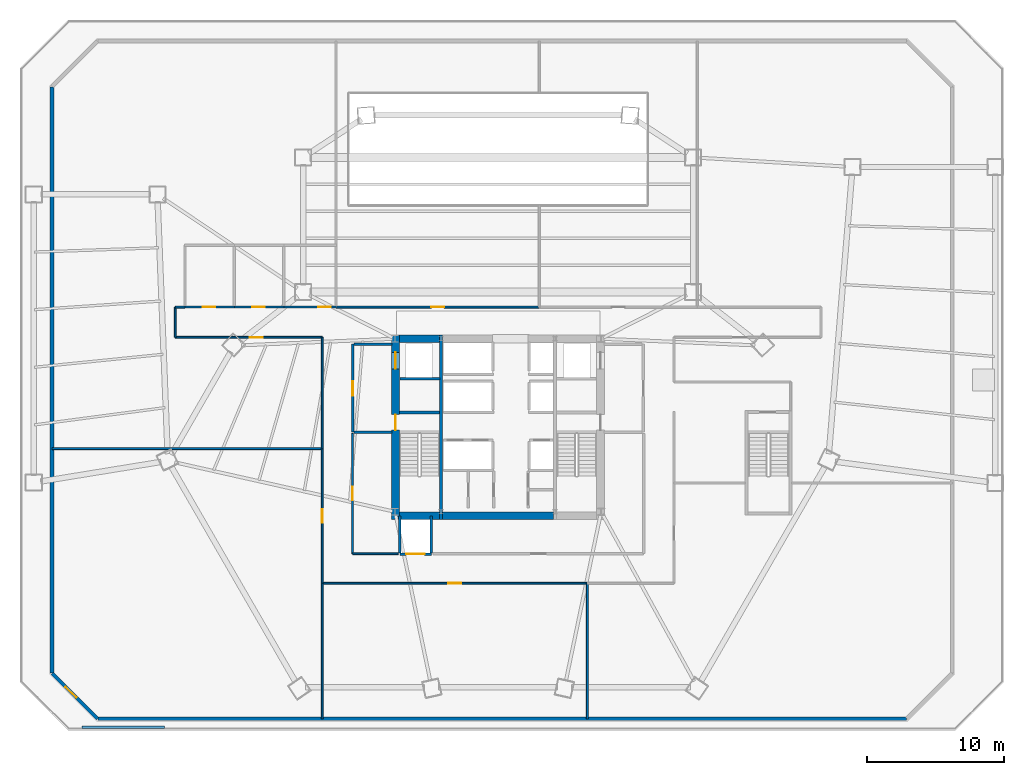
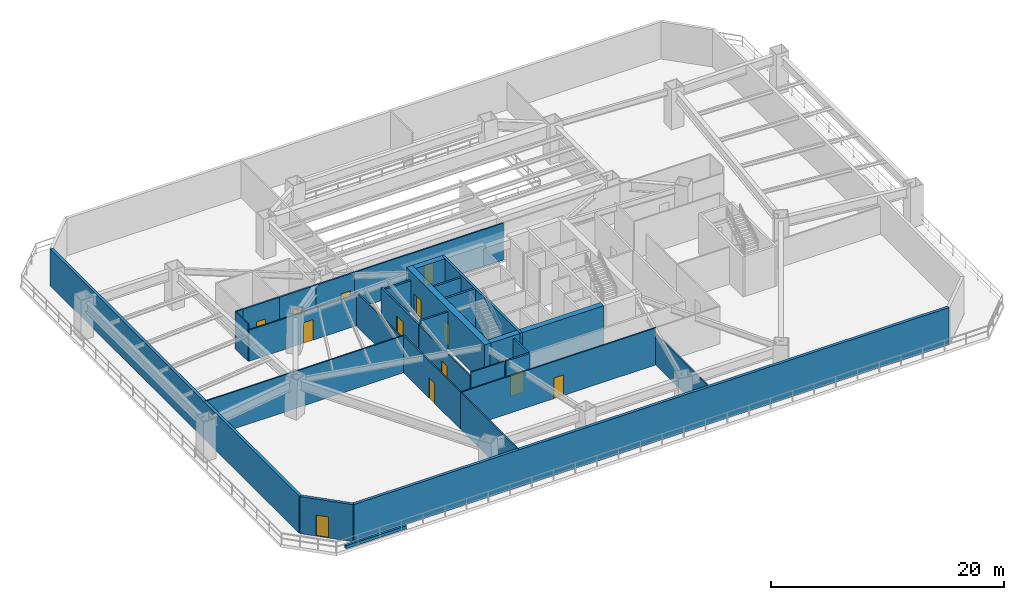
# One storey, part 5 of 12: 32 walls, 13 doors, 13 openings.
"""IFC4 building model written with IfcOpenShell, lengths in metres."""

from ifc_helpers import new_model, si_unit, direction, frame, frame_2d, origin, place, context, subcontext, project, spatial, rectangle, extrude, material, layer, layer_set, type_object, element, fill, save


model = new_model("IFC4")

# Units and contexts
model_context = context("Model", 3, precision=1e-05, world=origin(), true_north=direction((0.0, 1.0)))
body_context = subcontext(model_context, "Body", "Model", "MODEL_VIEW")
ifc_project = project(units=[si_unit("LENGTHUNIT", "METRE"), si_unit("AREAUNIT", "SQUARE_METRE"), si_unit("VOLUMEUNIT", "CUBIC_METRE"), si_unit("PLANEANGLEUNIT", "RADIAN"), si_unit("MASSUNIT", "GRAM", prefix="KILO")], contexts=[model_context])

# Site, building, storey
site_placement = place(None, origin())
site = spatial("IfcSite", under=ifc_project, at=site_placement, CompositionType="ELEMENT")
building_placement = place(site_placement, origin())
building = spatial("IfcBuilding", under=site, at=building_placement, Name="Caelisora Broadcast Tower", CompositionType="ELEMENT")
storey_placement = place(building_placement, frame((0.0, 0.0, 14.699951171875)))
storey = spatial("IfcBuildingStorey", under=building, at=storey_placement, Name="L03", CompositionType="ELEMENT", Elevation=14.699951171875)

# Wall, openings, doors
ifc_material_1 = material(Name="Concrete 65 MPa (AS 3600 S65)", Category="concrete")
ifc_layer_1 = layer(ifc_material_1, 0.60009765625, Name="Concrete 65 MPa (AS 3600 S65)")
ifc_layer_set_1 = layer_set([ifc_layer_1], Name="Concrete 65 MPa (AS 3600 S65)")
wall_type_1 = type_object("IfcWallType", Name="CW1", PredefinedType="SHEAR", material=ifc_layer_set_1)
wall_1_placement = place(storey_placement, frame((30.5400390625, 16.85009765625, 0.0), z_axis=(0.0, 0.0, 1.0), x_axis=(0.0, 1.0, 0.0)))
wall_1 = element("IfcWall", 1, at=wall_1_placement, inside=storey, type_object=wall_type_1, Name="L03 core shear wall CW1", PredefinedType="SHEAR", context=body_context, shape_type="SweptSolid", body=[
    extrude(rectangle(XDim=13.4248046875, YDim=0.60009765625, at=frame_2d((6.71240234375, 0.0))), origin(), (0.0, 0.0, 1.0), 4.199951171875),
])
opening_1_placement = place(wall_1_placement, frame((6.5, 0.0, 0.0)))
opening_1 = element("IfcOpeningElement", 2, at=opening_1_placement, cuts=wall_1, Name="Opening FD04", PredefinedType="OPENING", context=body_context, shape_type="SweptSolid", body=[
    extrude(rectangle(XDim=1.1201171875, YDim=2.14990234375, at=frame_2d((0.56005859375, 1.074951171875))), frame((0.0, 0.31201171875, 0.0), z_axis=(0.0, -1.0, 0.0), x_axis=(1.0, 0.0, 0.0)), (0.0, 0.0, 1.0), 0.6240234375),
])
opening_2_placement = place(wall_1_placement, frame((10.949951171875, 0.0, 0.0)))
opening_2 = element("IfcOpeningElement", 3, at=opening_2_placement, cuts=wall_1, Name="Opening LD04", PredefinedType="OPENING", context=body_context, shape_type="SweptSolid", body=[
    extrude(rectangle(XDim=1.199951171875, YDim=2.199951171875, at=frame_2d((0.60009765625, 1.10009765625))), frame((0.0, 0.31201171875, 0.0), z_axis=(0.0, -1.0, 0.0), x_axis=(1.0, 0.0, 0.0)), (0.0, 0.0, 1.0), 0.6240234375),
])
ifc_material_2 = material(Name="Pressurised Fire-Isolated Stair Door", Category="steel")
door_type_1 = type_object("IfcDoorType", Name="FD04", OperationType="NOTDEFINED", PredefinedType="DOOR", material=ifc_material_2)
door_1_placement = place(opening_1_placement, origin())
door_1 = element("IfcDoor", 4, at=door_1_placement, inside=storey, type_object=door_type_1, Name="L03 door FD04 (L03-DR-ST1)", OperationType="SINGLE_SWING_LEFT", OverallHeight=2.14990234375, OverallWidth=1.1201171875, PredefinedType="DOOR", context=body_context, shape_type="SweptSolid", body=[
    extrude(rectangle(XDim=1.1201171875, YDim=2.14990234375, at=frame_2d((0.56005859375, 1.074951171875))), frame((0.0, 0.02490234375, 0.0), z_axis=(0.0, -1.0, 0.0), x_axis=(1.0, 0.0, 0.0)), (0.0, 0.0, 1.0), 0.050048828125),
])
fill(opening_1, door_1)
ifc_material_3 = material(Name="Emergency Firefighting Lift Sliding Landing Door", Category="steel")
door_type_2 = type_object("IfcDoorType", Name="LD04", OperationType="NOTDEFINED", PredefinedType="DOOR", material=ifc_material_3)
door_2_placement = place(opening_2_placement, origin())
door_2 = element("IfcDoor", 5, at=door_2_placement, inside=storey, type_object=door_type_2, Name="L03 door LD04 (L03-LD-FFL1)", OperationType="SLIDING_TO_LEFT", OverallHeight=2.199951171875, OverallWidth=1.199951171875, PredefinedType="DOOR", context=body_context, shape_type="SweptSolid", body=[
    extrude(rectangle(XDim=1.199951171875, YDim=2.199951171875, at=frame_2d((0.60009765625, 1.10009765625))), frame((0.0, 0.02490234375, 0.0), z_axis=(0.0, -1.0, 0.0), x_axis=(1.0, 0.0, 0.0)), (0.0, 0.0, 1.0), 0.050048828125),
])
fill(opening_2, door_2)

# Walls
ifc_layer_2 = layer(ifc_material_1, 0.550048828125, Name="Concrete 65 MPa (AS 3600 S65)")
ifc_layer_set_2 = layer_set([ifc_layer_2], Name="Concrete 65 MPa (AS 3600 S65)")
wall_type_2 = type_object("IfcWallType", Name="CW4", PredefinedType="SHEAR", material=ifc_layer_set_2)
wall_2_placement = place(storey_placement, frame((30.840087890625, 17.125, 0.0), z_axis=(0.0, 0.0, 1.0), x_axis=(1.0, 0.0, 0.0)))
element("IfcWall", 6, at=wall_2_placement, inside=storey, type_object=wall_type_2, Name="L03 core shear wall CW4", PredefinedType="SHEAR", context=body_context, shape_type="SweptSolid", body=[
    extrude(rectangle(XDim=2.89990234375, YDim=0.550048828125, at=frame_2d((1.449951171875, 0.0))), origin(), (0.0, 0.0, 1.0), 4.199951171875),
])
wall_3_placement = place(storey_placement, frame((33.9599609375, 17.125, 0.0), z_axis=(0.0, 0.0, 1.0), x_axis=(1.0, 0.0, 0.0)))
element("IfcWall", 7, at=wall_3_placement, inside=storey, type_object=wall_type_2, Name="L03 core shear wall CW4", PredefinedType="SHEAR", context=body_context, shape_type="SweptSolid", body=[
    extrude(rectangle(XDim=8.080078125, YDim=0.550048828125, at=frame_2d((4.0400390625, 0.0))), origin(), (0.0, 0.0, 1.0), 4.199951171875),
])
wall_4_placement = place(storey_placement, frame((30.840087890625, 30.0, 0.0), z_axis=(0.0, 0.0, 1.0), x_axis=(1.0, 0.0, 0.0)))
element("IfcWall", 8, at=wall_4_placement, inside=storey, type_object=wall_type_2, Name="L03 core shear wall CW4", PredefinedType="SHEAR", context=body_context, shape_type="SweptSolid", body=[
    extrude(rectangle(XDim=2.89990234375, YDim=0.550048828125, at=frame_2d((1.449951171875, 0.0))), origin(), (0.0, 0.0, 1.0), 4.199951171875),
])
ifc_material_4 = material(Name="Concrete 50 MPa (AS 3600 S50)", Category="concrete")
ifc_layer_3 = layer(ifc_material_4, 0.219970703125, Name="Concrete 50 MPa (AS 3600 S50)")
ifc_layer_set_3 = layer_set([ifc_layer_3], Name="Concrete 50 MPa (AS 3600 S50)")
wall_type_3 = type_object("IfcWallType", Name="CW7", PredefinedType="SHEAR", material=ifc_layer_set_3)
wall_5_placement = place(storey_placement, frame((33.85009765625, 16.85009765625, 0.0), z_axis=(0.0, 0.0, 1.0), x_axis=(0.0, 1.0, 0.0)))
element("IfcWall", 9, at=wall_5_placement, inside=storey, type_object=wall_type_3, Name="L03 core shear wall CW7", PredefinedType="SHEAR", context=body_context, shape_type="SweptSolid", body=[
    extrude(rectangle(XDim=13.4248046875, YDim=0.219970703125, at=frame_2d((6.71240234375, 0.0))), origin(), (0.0, 0.0, 1.0), 4.199951171875),
])
wall_6_placement = place(storey_placement, frame((30.840087890625, 24.639892578125, 0.0), z_axis=(0.0, 0.0, 1.0), x_axis=(1.0, 0.0, 0.0)))
element("IfcWall", 10, at=wall_6_placement, inside=storey, type_object=wall_type_3, Name="L03 core shear wall CW7", PredefinedType="SHEAR", context=body_context, shape_type="SweptSolid", body=[
    extrude(rectangle(XDim=2.89990234375, YDim=0.219970703125, at=frame_2d((1.449951171875, 0.0))), origin(), (0.0, 0.0, 1.0), 4.199951171875),
])

# Wall, opening, door
ifc_material_5 = material(Name="Insulated Terracotta Spandrel Wall System", Category="masonry")
ifc_layer_4 = layer(ifc_material_5, 0.280029296875, Name="Insulated Terracotta Spandrel Wall System")
ifc_layer_set_4 = layer_set([ifc_layer_4], Name="Insulated Terracotta Spandrel Wall System")
wall_type_4 = type_object("IfcWallType", Name="EW1", PredefinedType="STANDARD", material=ifc_layer_set_4)
wall_7_placement = place(storey_placement, frame((8.841064453125, 2.340087890625, 0.0), z_axis=(0.0, 0.0, 1.0), x_axis=(-0.707106781187, 0.707106781187, 0.0)))
wall_7 = element("IfcWall", 11, at=wall_7_placement, inside=storey, type_object=wall_type_4, Name="L03 exterior envelope wall EW1", PredefinedType="STANDARD", context=body_context, shape_type="SweptSolid", body=[
    extrude(rectangle(XDim=4.66845703125, YDim=0.280029296875, at=frame_2d((2.334228515625, 0.0))), origin(), (0.0, 0.0, 1.0), 3.880126953125),
])
opening_3_placement = place(wall_7_placement, frame((2.169921875, 0.0, 0.0)))
opening_3 = element("IfcOpeningElement", 12, at=opening_3_placement, cuts=wall_7, Name="Opening D04", PredefinedType="OPENING", context=body_context, shape_type="SweptSolid", body=[
    extrude(rectangle(XDim=1.10009765625, YDim=2.199951171875, at=frame_2d((0.550048828125, 1.10009765625))), frame((0.0, 0.152099609375, 0.0), z_axis=(0.0, -1.0, 0.0), x_axis=(1.0, 0.0, 0.0)), (0.0, 0.0, 1.0), 0.303955078125),
])
ifc_material_6 = material(Name="Aluminium Framed Double-Glazed Terrace Door", Category="aluminium")
door_type_3 = type_object("IfcDoorType", Name="D04", OperationType="NOTDEFINED", PredefinedType="DOOR", material=ifc_material_6)
door_3_placement = place(opening_3_placement, origin())
door_3 = element("IfcDoor", 13, at=door_3_placement, inside=storey, type_object=door_type_3, Name="L03 door D04 (L03-DR-TER)", OperationType="SINGLE_SWING_LEFT", OverallHeight=2.199951171875, OverallWidth=1.10009765625, PredefinedType="DOOR", context=body_context, shape_type="SweptSolid", body=[
    extrude(rectangle(XDim=1.10009765625, YDim=2.199951171875, at=frame_2d((0.550048828125, 1.10009765625))), frame((0.0, 0.02490234375, 0.0), z_axis=(0.0, -1.0, 0.0), x_axis=(1.0, 0.0, 0.0)), (0.0, 0.0, 1.0), 0.050048828125),
])
fill(opening_3, door_3)

# Walls
wall_8_placement = place(storey_placement, frame((5.5400390625, 5.660888671875, 0.0), z_axis=(0.0, 0.0, 1.0), x_axis=(0.0, 1.0, 0.0)))
element("IfcWall", 14, at=wall_8_placement, inside=storey, type_object=wall_type_4, Name="L03 exterior envelope wall EW1", PredefinedType="STANDARD", context=body_context, shape_type="SweptSolid", body=[
    extrude(rectangle(XDim=42.67822265625, YDim=0.280029296875, at=frame_2d((21.339111328125, 0.0))), origin(), (0.0, 0.0, 1.0), 3.880126953125),
])
wall_9_placement = place(storey_placement, frame((67.739013671875, 2.340087890625, 0.0), z_axis=(0.0, 0.0, 1.0), x_axis=(-1.0, 0.0, 0.0)))
element("IfcWall", 15, at=wall_9_placement, inside=storey, type_object=wall_type_4, Name="L03 exterior envelope wall EW1", PredefinedType="STANDARD", context=body_context, shape_type="SweptSolid", body=[
    extrude(rectangle(XDim=58.8779296875, YDim=0.280029296875, at=frame_2d((29.43896484375, 0.0))), origin(), (0.0, 0.0, 1.0), 3.880126953125),
])
ifc_material_7 = material(Name="Precast Concrete 40 MPa (AS 3600 N40)", Category="concrete")
ifc_layer_5 = layer(ifc_material_7, 0.2099609375, Name="Precast Concrete 40 MPa (AS 3600 N40)")
ifc_layer_set_5 = layer_set([ifc_layer_5], Name="Precast Concrete 40 MPa (AS 3600 N40)")
wall_type_5 = type_object("IfcWallType", Name="EW3", PredefinedType="PARAPET", material=ifc_layer_set_5)
wall_10_placement = place(storey_placement, frame((7.699951171875, 1.719970703125, 0.0), z_axis=(0.0, 0.0, 1.0), x_axis=(1.0, 0.0, 0.0)))
element("IfcWall", 16, at=wall_10_placement, inside=storey, type_object=wall_type_5, Name="L03 terrace parapet wall EW3", PredefinedType="PARAPET", context=body_context, shape_type="SweptSolid", body=[
    extrude(rectangle(XDim=6.0, YDim=0.2099609375, at=frame_2d((3.0, 0.0))), origin(), (0.0, 0.0, 1.0), 0.320068359375),
])

# Wall, opening, door
ifc_material_8 = material(Name="Fire-Rated Gypsum Shaft and Compartment Wall", Category="gypsum")
ifc_layer_6 = layer(ifc_material_8, 0.179931640625, Name="Fire-Rated Gypsum Shaft and Compartment Wall")
ifc_layer_set_6 = layer_set([ifc_layer_6], Name="Fire-Rated Gypsum Shaft and Compartment Wall")
wall_type_6 = type_object("IfcWallType", Name="PW2", PredefinedType="PARTITIONING", material=ifc_layer_set_6)
wall_11_placement = place(storey_placement, frame((30.85009765625, 14.320068359375, 0.0), z_axis=(0.0, 0.0, 1.0), x_axis=(1.0, 0.0, 0.0)))
wall_11 = element("IfcWall", 17, at=wall_11_placement, inside=storey, type_object=wall_type_6, Name="L03 fire compartment wall PW2", PredefinedType="PARTITIONING", context=body_context, shape_type="SweptSolid", body=[
    extrude(rectangle(XDim=2.2998046875, YDim=0.179931640625, at=frame_2d((1.14990234375, 0.0))), origin(), (0.0, 0.0, 1.0), 3.880126953125),
])
opening_4_placement = place(wall_11_placement, frame((0.449951171875, 0.0, 0.0)))
opening_4 = element("IfcOpeningElement", 18, at=opening_4_placement, cuts=wall_11, Name="Opening LD03", PredefinedType="OPENING", context=body_context, shape_type="SweptSolid", body=[
    extrude(rectangle(XDim=1.35009765625, YDim=2.25, at=frame_2d((0.675048828125, 1.125))), frame((0.0, 0.10205078125, 0.0), z_axis=(0.0, -1.0, 0.0), x_axis=(1.0, 0.0, 0.0)), (0.0, 0.0, 1.0), 0.203857421875),
])
ifc_material_9 = material(Name="Heavy-Duty Goods Lift Sliding Landing Door", Category="steel")
door_type_4 = type_object("IfcDoorType", Name="LD03", OperationType="NOTDEFINED", PredefinedType="DOOR", material=ifc_material_9)
door_4_placement = place(opening_4_placement, origin())
door_4 = element("IfcDoor", 19, at=door_4_placement, inside=storey, type_object=door_type_4, Name="L03 door LD03 (L03-LD-GL1)", OperationType="SLIDING_TO_LEFT", OverallHeight=2.25, OverallWidth=1.35009765625, PredefinedType="DOOR", context=body_context, shape_type="SweptSolid", body=[
    extrude(rectangle(XDim=1.35009765625, YDim=2.25, at=frame_2d((0.675048828125, 1.125))), frame((0.0, 0.02490234375, 0.0), z_axis=(0.0, -1.0, 0.0), x_axis=(1.0, 0.0, 0.0)), (0.0, 0.0, 1.0), 0.050048828125),
])
fill(opening_4, door_4)

# Walls
wall_12_placement = place(storey_placement, frame((30.85009765625, 14.419921875, 0.0), z_axis=(0.0, 0.0, 1.0), x_axis=(0.0, 1.0, 0.0)))
element("IfcWall", 20, at=wall_12_placement, inside=storey, type_object=wall_type_6, Name="L03 fire compartment wall PW2", PredefinedType="PARTITIONING", context=body_context, shape_type="SweptSolid", body=[
    extrude(rectangle(XDim=2.66015625, YDim=0.179931640625, at=frame_2d((1.330078125, 0.0))), origin(), (0.0, 0.0, 1.0), 3.25341796875),
])
wall_13_placement = place(storey_placement, frame((33.14990234375, 14.419921875, 0.0), z_axis=(0.0, 0.0, 1.0), x_axis=(0.0, 1.0, 0.0)))
element("IfcWall", 21, at=wall_13_placement, inside=storey, type_object=wall_type_6, Name="L03 fire compartment wall PW2", PredefinedType="PARTITIONING", context=body_context, shape_type="SweptSolid", body=[
    extrude(rectangle(XDim=2.66015625, YDim=0.179931640625, at=frame_2d((1.330078125, 0.0))), origin(), (0.0, 0.0, 1.0), 3.880126953125),
])

# Wall, opening, door
wall_14_placement = place(storey_placement, frame((27.419921875, 23.199951171875, 0.0), z_axis=(0.0, 0.0, 1.0), x_axis=(0.0, 1.0, 0.0)))
wall_14 = element("IfcWall", 22, at=wall_14_placement, inside=storey, type_object=wall_type_6, Name="L03 fire compartment wall PW2", PredefinedType="PARTITIONING", context=body_context, shape_type="SweptSolid", body=[
    extrude(rectangle(XDim=6.400146484375, YDim=0.179931640625, at=frame_2d((3.2001953125, 0.0))), origin(), (0.0, 0.0, 1.0), 3.50634765625),
])
opening_5_placement = place(wall_14_placement, frame((2.64990234375, 0.0, 0.0)))
opening_5 = element("IfcOpeningElement", 23, at=opening_5_placement, cuts=wall_14, Name="Opening FD02", PredefinedType="OPENING", context=body_context, shape_type="SweptSolid", body=[
    extrude(rectangle(XDim=1.050048828125, YDim=2.14990234375, at=frame_2d((0.52490234375, 1.074951171875))), frame((0.0, 0.10205078125, 0.0), z_axis=(0.0, -1.0, 0.0), x_axis=(1.0, 0.0, 0.0)), (0.0, 0.0, 1.0), 0.203857421875),
])
ifc_material_10 = material(Name="Single-Leaf Steel Fire Lobby Door", Category="steel")
door_type_5 = type_object("IfcDoorType", Name="FD02", OperationType="NOTDEFINED", PredefinedType="DOOR", material=ifc_material_10)
door_5_placement = place(opening_5_placement, origin())
door_5 = element("IfcDoor", 24, at=door_5_placement, inside=storey, type_object=door_type_5, Name="L03 door FD02 (L03-DR-P01D1)", OperationType="SINGLE_SWING_LEFT", OverallHeight=2.14990234375, OverallWidth=1.050048828125, PredefinedType="DOOR", context=body_context, shape_type="SweptSolid", body=[
    extrude(rectangle(XDim=1.050048828125, YDim=2.14990234375, at=frame_2d((0.52490234375, 1.074951171875))), frame((0.0, 0.02490234375, 0.0), z_axis=(0.0, -1.0, 0.0), x_axis=(1.0, 0.0, 0.0)), (0.0, 0.0, 1.0), 0.050048828125),
])
fill(opening_5, door_5)

# Walls
wall_15_placement = place(storey_placement, frame((27.52001953125, 23.199951171875, 0.0), z_axis=(0.0, 0.0, 1.0), x_axis=(1.0, 0.0, 0.0)))
element("IfcWall", 25, at=wall_15_placement, inside=storey, type_object=wall_type_6, Name="L03 fire compartment wall PW2", PredefinedType="PARTITIONING", context=body_context, shape_type="SweptSolid", body=[
    extrude(rectangle(XDim=2.760009765625, YDim=0.179931640625, at=frame_2d((1.3798828125, 0.0))), origin(), (0.0, 0.0, 1.0), 3.880126953125),
])
wall_16_placement = place(storey_placement, frame((27.52001953125, 29.60009765625, 0.0), z_axis=(0.0, 0.0, 1.0), x_axis=(1.0, 0.0, 0.0)))
element("IfcWall", 26, at=wall_16_placement, inside=storey, type_object=wall_type_6, Name="L03 fire compartment wall PW2", PredefinedType="PARTITIONING", context=body_context, shape_type="SweptSolid", body=[
    extrude(rectangle(XDim=2.760009765625, YDim=0.179931640625, at=frame_2d((1.3798828125, 0.0))), origin(), (0.0, 0.0, 1.0), 3.25341796875),
])
wall_17_placement = place(storey_placement, frame((30.860107421875, 27.070068359375, 0.0), z_axis=(0.0, 0.0, 1.0), x_axis=(1.0, 0.0, 0.0)))
element("IfcWall", 27, at=wall_17_placement, inside=storey, type_object=wall_type_6, Name="L03 fire compartment wall PW2", PredefinedType="PARTITIONING", context=body_context, shape_type="SweptSolid", body=[
    extrude(rectangle(XDim=2.89990234375, YDim=0.179931640625, at=frame_2d((1.449951171875, 0.0))), origin(), (0.0, 0.0, 1.0), 3.880126953125),
])
ifc_material_11 = material(Name="Acoustic Steel-Stud Plasterboard Partition", Category="gypsum")
ifc_layer_7 = layer(ifc_material_11, 0.1298828125, Name="Acoustic Steel-Stud Plasterboard Partition")
ifc_layer_set_7 = layer_set([ifc_layer_7], Name="Acoustic Steel-Stud Plasterboard Partition")
wall_type_7 = type_object("IfcWallType", Name="PW3", PredefinedType="PARTITIONING", material=ifc_layer_set_7)
wall_18_placement = place(storey_placement, frame((5.530029296875, 22.0, 0.0), z_axis=(0.0, 0.0, 1.0), x_axis=(1.0, 0.0, 0.0)))
element("IfcWall", 28, at=wall_18_placement, inside=storey, type_object=wall_type_7, Name="L03 internal partition PW3", PredefinedType="PARTITIONING", context=body_context, shape_type="SweptSolid", body=[
    extrude(rectangle(XDim=19.6650390625, YDim=0.1298828125, at=frame_2d((9.83251953125, 0.0))), origin(), (0.0, 0.0, 1.0), 3.880126953125),
])

# Wall, opening, door
wall_19_placement = place(storey_placement, frame((25.205078125, 12.199951171875, 0.0), z_axis=(0.0, 0.0, 1.0), x_axis=(1.0, 0.0, 0.0)))
wall_19 = element("IfcWall", 29, at=wall_19_placement, inside=storey, type_object=wall_type_7, Name="L03 internal partition PW3", PredefinedType="PARTITIONING", context=body_context, shape_type="SweptSolid", body=[
    extrude(rectangle(XDim=19.2900390625, YDim=0.1298828125, at=frame_2d((9.64501953125, 0.0))), origin(), (0.0, 0.0, 1.0), 3.880126953125),
])
opening_6_placement = place(wall_19_placement, frame((9.1650390625, 0.0, 0.0)))
opening_6 = element("IfcOpeningElement", 30, at=opening_6_placement, cuts=wall_19, Name="Opening D01", PredefinedType="OPENING", context=body_context, shape_type="SweptSolid", body=[
    extrude(rectangle(XDim=0.9599609375, YDim=2.14990234375, at=frame_2d((0.47998046875, 1.074951171875))), frame((0.0, 0.076904296875, 0.0), z_axis=(0.0, -1.0, 0.0), x_axis=(1.0, 0.0, 0.0)), (0.0, 0.0, 1.0), 0.15380859375),
])
ifc_material_12 = material(Name="Solid-Core Timber Acoustic Office Door", Category="wood")
door_type_6 = type_object("IfcDoorType", Name="D01", OperationType="NOTDEFINED", PredefinedType="DOOR", material=ifc_material_12)
door_6_placement = place(opening_6_placement, origin())
door_6 = element("IfcDoor", 31, at=door_6_placement, inside=storey, type_object=door_type_6, Name="L03 door D01 (L03-DR-P29D1)", OperationType="SINGLE_SWING_LEFT", OverallHeight=2.14990234375, OverallWidth=0.9599609375, PredefinedType="DOOR", context=body_context, shape_type="SweptSolid", body=[
    extrude(rectangle(XDim=0.9599609375, YDim=2.14990234375, at=frame_2d((0.47998046875, 1.074951171875))), frame((0.0, 0.02490234375, 0.0), z_axis=(0.0, -1.0, 0.0), x_axis=(1.0, 0.0, 0.0)), (0.0, 0.0, 1.0), 0.050048828125),
])
fill(opening_6, door_6)

wall_20_placement = place(storey_placement, frame((26.205078125, 32.300048828125, 0.0), z_axis=(0.0, 0.0, 1.0), x_axis=(1.0, 0.0, 0.0)))
wall_20 = element("IfcWall", 32, at=wall_20_placement, inside=storey, type_object=wall_type_7, Name="L03 internal partition PW3", PredefinedType="PARTITIONING", context=body_context, shape_type="SweptSolid", body=[
    extrude(rectangle(XDim=14.7900390625, YDim=0.1298828125, at=frame_2d((7.39501953125, 0.0))), origin(), (0.0, 0.0, 1.0), 3.880126953125),
])
opening_7_placement = place(wall_20_placement, frame((6.9150390625, 0.0, 0.0)))
opening_7 = element("IfcOpeningElement", 33, at=opening_7_placement, cuts=wall_20, Name="Opening D01", PredefinedType="OPENING", context=body_context, shape_type="SweptSolid", body=[
    extrude(rectangle(XDim=0.9599609375, YDim=2.14990234375, at=frame_2d((0.47998046875, 1.074951171875))), frame((0.0, 0.076904296875, 0.0), z_axis=(0.0, -1.0, 0.0), x_axis=(1.0, 0.0, 0.0)), (0.0, 0.0, 1.0), 0.15380859375),
])
door_7_placement = place(opening_7_placement, origin())
door_7 = element("IfcDoor", 34, at=door_7_placement, inside=storey, type_object=door_type_6, Name="L03 door D01 (L03-DR-P31D1)", OperationType="SINGLE_SWING_RIGHT", OverallHeight=2.14990234375, OverallWidth=0.9599609375, PredefinedType="DOOR", context=body_context, shape_type="SweptSolid", body=[
    extrude(rectangle(XDim=0.9599609375, YDim=2.14990234375, at=frame_2d((0.47998046875, 1.074951171875))), frame((0.0, 0.02490234375, 0.0), z_axis=(0.0, -1.0, 0.0), x_axis=(1.0, 0.0, 0.0)), (0.0, 0.0, 1.0), 0.050048828125),
])
fill(opening_7, door_7)

wall_21_placement = place(storey_placement, frame((25.195068359375, 30.10009765625, 0.0), z_axis=(0.0, 0.0, 1.0), x_axis=(-1.0, 0.0, 0.0)))
wall_21 = element("IfcWall", 35, at=wall_21_placement, inside=storey, type_object=wall_type_7, Name="L03 internal partition PW3", PredefinedType="PARTITIONING", context=body_context, shape_type="SweptSolid", body=[
    extrude(rectangle(XDim=10.690185546875, YDim=0.1298828125, at=frame_2d((5.34521484375, 0.0))), origin(), (0.0, 0.0, 1.0), 3.25341796875),
])
opening_8_placement = place(wall_21_placement, frame((4.320068359375, 0.0, 0.0)))
opening_8 = element("IfcOpeningElement", 36, at=opening_8_placement, cuts=wall_21, Name="Opening D01", PredefinedType="OPENING", context=body_context, shape_type="SweptSolid", body=[
    extrude(rectangle(XDim=0.9599609375, YDim=2.14990234375, at=frame_2d((0.47998046875, 1.074951171875))), frame((0.0, 0.076904296875, 0.0), z_axis=(0.0, -1.0, 0.0), x_axis=(1.0, 0.0, 0.0)), (0.0, 0.0, 1.0), 0.15380859375),
])
door_8_placement = place(opening_8_placement, origin())
door_8 = element("IfcDoor", 37, at=door_8_placement, inside=storey, type_object=door_type_6, Name="L03 door D01 (L03-DR-P35D1)", OperationType="SINGLE_SWING_LEFT", OverallHeight=2.14990234375, OverallWidth=0.9599609375, PredefinedType="DOOR", context=body_context, shape_type="SweptSolid", body=[
    extrude(rectangle(XDim=0.9599609375, YDim=2.14990234375, at=frame_2d((0.47998046875, 1.074951171875))), frame((0.0, 0.02490234375, 0.0), z_axis=(0.0, -1.0, 0.0), x_axis=(1.0, 0.0, 0.0)), (0.0, 0.0, 1.0), 0.050048828125),
])
fill(opening_8, door_8)

# Walls
wall_22_placement = place(storey_placement, frame((25.199951171875, 2.330078125, 0.0), z_axis=(0.0, 0.0, 1.0), x_axis=(0.0, 1.0, 0.0)))
element("IfcWall", 38, at=wall_22_placement, inside=storey, type_object=wall_type_7, Name="L03 internal partition PW3", PredefinedType="PARTITIONING", context=body_context, shape_type="SweptSolid", body=[
    extrude(rectangle(XDim=9.864990234375, YDim=0.1298828125, at=frame_2d((4.9326171875, 0.0))), origin(), (0.0, 0.0, 1.0), 3.880126953125),
])
wall_23_placement = place(storey_placement, frame((44.5, 2.330078125, 0.0), z_axis=(0.0, 0.0, 1.0), x_axis=(0.0, 1.0, 0.0)))
element("IfcWall", 39, at=wall_23_placement, inside=storey, type_object=wall_type_7, Name="L03 internal partition PW3", PredefinedType="PARTITIONING", context=body_context, shape_type="SweptSolid", body=[
    extrude(rectangle(XDim=9.864990234375, YDim=0.1298828125, at=frame_2d((4.9326171875, 0.0))), origin(), (0.0, 0.0, 1.0), 3.25341796875),
])

# Wall, opening, door
wall_24_placement = place(storey_placement, frame((25.199951171875, 12.205078125, 0.0), z_axis=(0.0, 0.0, 1.0), x_axis=(0.0, 1.0, 0.0)))
wall_24 = element("IfcWall", 40, at=wall_24_placement, inside=storey, type_object=wall_type_7, Name="L03 internal partition PW3", PredefinedType="PARTITIONING", context=body_context, shape_type="SweptSolid", body=[
    extrude(rectangle(XDim=9.7900390625, YDim=0.1298828125, at=frame_2d((4.89501953125, 0.0))), origin(), (0.0, 0.0, 1.0), 3.880126953125),
])
opening_9_placement = place(wall_24_placement, frame((4.4150390625, 0.0, 0.0)))
opening_9 = element("IfcOpeningElement", 41, at=opening_9_placement, cuts=wall_24, Name="Opening D01", PredefinedType="OPENING", context=body_context, shape_type="SweptSolid", body=[
    extrude(rectangle(XDim=0.9599609375, YDim=2.14990234375, at=frame_2d((0.47998046875, 1.074951171875))), frame((0.0, 0.076904296875, 0.0), z_axis=(0.0, -1.0, 0.0), x_axis=(1.0, 0.0, 0.0)), (0.0, 0.0, 1.0), 0.15380859375),
])
door_9_placement = place(opening_9_placement, origin())
door_9 = element("IfcDoor", 42, at=door_9_placement, inside=storey, type_object=door_type_6, Name="L03 door D01 (L03-DR-P39D1)", OperationType="SINGLE_SWING_RIGHT", OverallHeight=2.14990234375, OverallWidth=0.9599609375, PredefinedType="DOOR", context=body_context, shape_type="SweptSolid", body=[
    extrude(rectangle(XDim=0.9599609375, YDim=2.14990234375, at=frame_2d((0.47998046875, 1.074951171875))), frame((0.0, 0.02490234375, 0.0), z_axis=(0.0, -1.0, 0.0), x_axis=(1.0, 0.0, 0.0)), (0.0, 0.0, 1.0), 0.050048828125),
])
fill(opening_9, door_9)

wall_25_placement = place(storey_placement, frame((27.39990234375, 14.35498046875, 0.0), z_axis=(0.0, 0.0, 1.0), x_axis=(0.0, 1.0, 0.0)))
wall_25 = element("IfcWall", 43, at=wall_25_placement, inside=storey, type_object=wall_type_7, Name="L03 internal partition PW3", PredefinedType="PARTITIONING", context=body_context, shape_type="SweptSolid", body=[
    extrude(rectangle(XDim=8.75, YDim=0.1298828125, at=frame_2d((4.375, 0.0))), origin(), (0.0, 0.0, 1.0), 3.50634765625),
])
opening_10_placement = place(wall_25_placement, frame((3.89501953125, 0.0, 0.0)))
opening_10 = element("IfcOpeningElement", 44, at=opening_10_placement, cuts=wall_25, Name="Opening D01", PredefinedType="OPENING", context=body_context, shape_type="SweptSolid", body=[
    extrude(rectangle(XDim=0.9599609375, YDim=2.14990234375, at=frame_2d((0.47998046875, 1.074951171875))), frame((0.0, 0.076904296875, 0.0), z_axis=(0.0, -1.0, 0.0), x_axis=(1.0, 0.0, 0.0)), (0.0, 0.0, 1.0), 0.15380859375),
])
door_10_placement = place(opening_10_placement, origin())
door_10 = element("IfcDoor", 45, at=door_10_placement, inside=storey, type_object=door_type_6, Name="L03 door D01 (L03-DR-P41D1)", OperationType="SINGLE_SWING_LEFT", OverallHeight=2.14990234375, OverallWidth=0.9599609375, PredefinedType="DOOR", context=body_context, shape_type="SweptSolid", body=[
    extrude(rectangle(XDim=0.9599609375, YDim=2.14990234375, at=frame_2d((0.47998046875, 1.074951171875))), frame((0.0, 0.02490234375, 0.0), z_axis=(0.0, -1.0, 0.0), x_axis=(1.0, 0.0, 0.0)), (0.0, 0.0, 1.0), 0.050048828125),
])
fill(opening_10, door_10)

# Walls
wall_26_placement = place(storey_placement, frame((25.199951171875, 22.0048828125, 0.0), z_axis=(0.0, 0.0, 1.0), x_axis=(0.0, 1.0, 0.0)))
element("IfcWall", 46, at=wall_26_placement, inside=storey, type_object=wall_type_7, Name="L03 internal partition PW3", PredefinedType="PARTITIONING", context=body_context, shape_type="SweptSolid", body=[
    extrude(rectangle(XDim=8.090087890625, YDim=0.1298828125, at=frame_2d((4.044921875, 0.0))), origin(), (0.0, 0.0, 1.0), 3.50634765625),
])
wall_27_placement = place(storey_placement, frame((30.72509765625, 14.35009765625, 0.0), z_axis=(0.0, 0.0, 1.0), x_axis=(-1.0, 0.0, 0.0)))
element("IfcWall", 47, at=wall_27_placement, inside=storey, type_object=wall_type_7, Name="L03 internal partition PW3", PredefinedType="PARTITIONING", context=body_context, shape_type="SweptSolid", body=[
    extrude(rectangle(XDim=3.320068359375, YDim=0.1298828125, at=frame_2d((1.66015625, 0.0))), origin(), (0.0, 0.0, 1.0), 3.880126953125),
])
wall_28_placement = place(storey_placement, frame((14.5, 30.10498046875, 0.0), z_axis=(0.0, 0.0, 1.0), x_axis=(0.0, 1.0, 0.0)))
element("IfcWall", 48, at=wall_28_placement, inside=storey, type_object=wall_type_7, Name="L03 internal partition PW3", PredefinedType="PARTITIONING", context=body_context, shape_type="SweptSolid", body=[
    extrude(rectangle(XDim=2.18994140625, YDim=0.1298828125, at=frame_2d((1.094970703125, 0.0))), origin(), (0.0, 0.0, 1.0), 3.880126953125),
])
wall_29_placement = place(storey_placement, frame((14.5048828125, 32.300048828125, 0.0), z_axis=(0.0, 0.0, 1.0), x_axis=(1.0, 0.0, 0.0)))
element("IfcWall", 49, at=wall_29_placement, inside=storey, type_object=wall_type_7, Name="L03 internal partition PW3", PredefinedType="PARTITIONING", context=body_context, shape_type="SweptSolid", body=[
    extrude(rectangle(XDim=0.690185546875, YDim=0.1298828125, at=frame_2d((0.34521484375, 0.0))), origin(), (0.0, 0.0, 1.0), 3.880126953125),
])

# Wall, opening, door
ifc_material_13 = material(Name="Moisture-Resistant Wet Plumbing Service Wall", Category="gypsum")
ifc_layer_8 = layer(ifc_material_13, 0.159912109375, Name="Moisture-Resistant Wet Plumbing Service Wall")
ifc_layer_set_8 = layer_set([ifc_layer_8], Name="Moisture-Resistant Wet Plumbing Service Wall")
wall_type_8 = type_object("IfcWallType", Name="PW4", PredefinedType="PLUMBINGWALL", material=ifc_layer_set_8)
wall_30_placement = place(storey_placement, frame((22.375, 32.300048828125, 0.0), z_axis=(0.0, 0.0, 1.0), x_axis=(1.0, 0.0, 0.0)))
wall_30 = element("IfcWall", 50, at=wall_30_placement, inside=storey, type_object=wall_type_8, Name="L03 wet plumbing wall PW4", PredefinedType="PLUMBINGWALL", context=body_context, shape_type="SweptSolid", body=[
    extrude(rectangle(XDim=3.85009765625, YDim=0.159912109375, at=frame_2d((1.925048828125, 0.0))), origin(), (0.0, 0.0, 1.0), 3.880126953125),
])
opening_11_placement = place(wall_30_placement, frame((2.52001953125, 0.0, 0.0)))
opening_11 = element("IfcOpeningElement", 51, at=opening_11_placement, cuts=wall_30, Name="Opening D03", PredefinedType="OPENING", context=body_context, shape_type="SweptSolid", body=[
    extrude(rectangle(XDim=0.919921875, YDim=2.10009765625, at=frame_2d((0.4599609375, 1.050048828125))), frame((0.0, 0.092041015625, 0.0), z_axis=(0.0, -1.0, 0.0), x_axis=(1.0, 0.0, 0.0)), (0.0, 0.0, 1.0), 0.183837890625),
])
ifc_material_14 = material(Name="Laminate Moisture-Resistant Amenity WC Door", Category="wood")
door_type_7 = type_object("IfcDoorType", Name="D03", OperationType="NOTDEFINED", PredefinedType="DOOR", material=ifc_material_14)
door_11_placement = place(opening_11_placement, origin())
door_11 = element("IfcDoor", 52, at=door_11_placement, inside=storey, type_object=door_type_7, Name="L03 door D03 (L03-DR-P19D1)", OperationType="SINGLE_SWING_LEFT", OverallHeight=2.10009765625, OverallWidth=0.919921875, PredefinedType="DOOR", context=body_context, shape_type="SweptSolid", body=[
    extrude(rectangle(XDim=0.919921875, YDim=2.10009765625, at=frame_2d((0.4599609375, 1.050048828125))), frame((0.0, 0.02490234375, 0.0), z_axis=(0.0, -1.0, 0.0), x_axis=(1.0, 0.0, 0.0)), (0.0, 0.0, 1.0), 0.050048828125),
])
fill(opening_11, door_11)

wall_31_placement = place(storey_placement, frame((15.175048828125, 32.300048828125, 0.0), z_axis=(0.0, 0.0, 1.0), x_axis=(1.0, 0.0, 0.0)))
wall_31 = element("IfcWall", 53, at=wall_31_placement, inside=storey, type_object=wall_type_8, Name="L03 wet plumbing wall PW4", PredefinedType="PLUMBINGWALL", context=body_context, shape_type="SweptSolid", body=[
    extrude(rectangle(XDim=3.64990234375, YDim=0.159912109375, at=frame_2d((1.824951171875, 0.0))), origin(), (0.0, 0.0, 1.0), 3.880126953125),
])
opening_12_placement = place(wall_31_placement, frame((1.3349609375, 0.0, 0.0)))
opening_12 = element("IfcOpeningElement", 54, at=opening_12_placement, cuts=wall_31, Name="Opening D03", PredefinedType="OPENING", context=body_context, shape_type="SweptSolid", body=[
    extrude(rectangle(XDim=0.919921875, YDim=2.10009765625, at=frame_2d((0.4599609375, 1.050048828125))), frame((0.0, 0.092041015625, 0.0), z_axis=(0.0, -1.0, 0.0), x_axis=(1.0, 0.0, 0.0)), (0.0, 0.0, 1.0), 0.183837890625),
])
door_12_placement = place(opening_12_placement, origin())
door_12 = element("IfcDoor", 55, at=door_12_placement, inside=storey, type_object=door_type_7, Name="L03 door D03 (L03-DR-P21D1)", OperationType="SINGLE_SWING_RIGHT", OverallHeight=2.10009765625, OverallWidth=0.919921875, PredefinedType="DOOR", context=body_context, shape_type="SweptSolid", body=[
    extrude(rectangle(XDim=0.919921875, YDim=2.10009765625, at=frame_2d((0.4599609375, 1.050048828125))), frame((0.0, 0.02490234375, 0.0), z_axis=(0.0, -1.0, 0.0), x_axis=(1.0, 0.0, 0.0)), (0.0, 0.0, 1.0), 0.050048828125),
])
fill(opening_12, door_12)

wall_32_placement = place(storey_placement, frame((18.77490234375, 32.300048828125, 0.0), z_axis=(0.0, 0.0, 1.0), x_axis=(1.0, 0.0, 0.0)))
wall_32 = element("IfcWall", 56, at=wall_32_placement, inside=storey, type_object=wall_type_8, Name="L03 wet plumbing wall PW4", PredefinedType="PLUMBINGWALL", context=body_context, shape_type="SweptSolid", body=[
    extrude(rectangle(XDim=3.650146484375, YDim=0.159912109375, at=frame_2d((1.8251953125, 0.0))), origin(), (0.0, 0.0, 1.0), 3.880126953125),
])
opening_13_placement = place(wall_32_placement, frame((1.3349609375, 0.0, 0.0)))
opening_13 = element("IfcOpeningElement", 57, at=opening_13_placement, cuts=wall_32, Name="Opening D03", PredefinedType="OPENING", context=body_context, shape_type="SweptSolid", body=[
    extrude(rectangle(XDim=0.919921875, YDim=2.10009765625, at=frame_2d((0.4599609375, 1.050048828125))), frame((0.0, 0.092041015625, 0.0), z_axis=(0.0, -1.0, 0.0), x_axis=(1.0, 0.0, 0.0)), (0.0, 0.0, 1.0), 0.183837890625),
])
door_13_placement = place(opening_13_placement, origin())
door_13 = element("IfcDoor", 58, at=door_13_placement, inside=storey, type_object=door_type_7, Name="L03 door D03 (L03-DR-P23D1)", OperationType="SINGLE_SWING_LEFT", OverallHeight=2.10009765625, OverallWidth=0.919921875, PredefinedType="DOOR", context=body_context, shape_type="SweptSolid", body=[
    extrude(rectangle(XDim=0.919921875, YDim=2.10009765625, at=frame_2d((0.4599609375, 1.050048828125))), frame((0.0, 0.02490234375, 0.0), z_axis=(0.0, -1.0, 0.0), x_axis=(1.0, 0.0, 0.0)), (0.0, 0.0, 1.0), 0.050048828125),
])
fill(opening_13, door_13)

save(model, "model.ifc")
